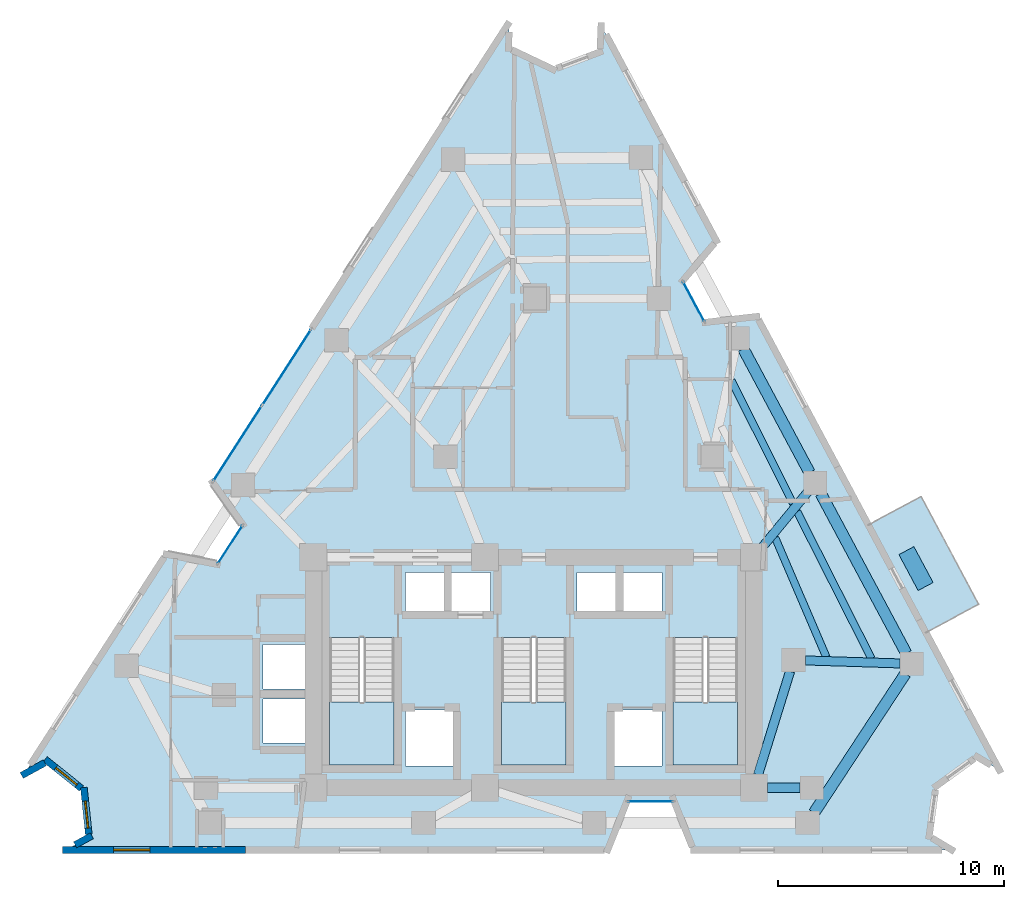
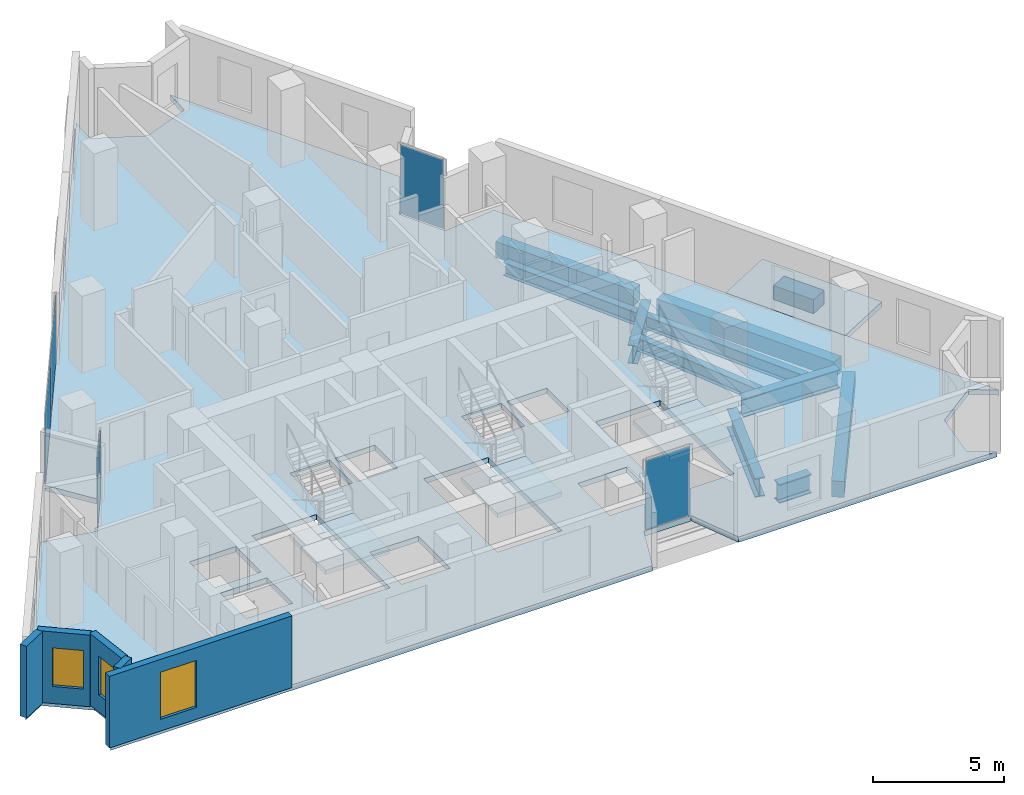
# One storey, part 4 of 11: 10 beams, 6 plates, 5 slabs, 5 walls, 3 windows, 3 openings, 7 elements without a shape of their own.
"""IFC4 building model written with IfcOpenShell, lengths in metres."""

from ifc_helpers import new_model, si_unit, direction, frame, frame_2d, origin, origin_2d, place, context, subcontext, project, spatial, polyline, rectangle, i_section, outline, extrude, material, layer, layer_set, material_profile, profile_set, type_object, element, fill, aggregate, save


model = new_model("IFC4")

# Units and contexts
model_context = context("Model", 3, precision=1e-05, world=origin(), true_north=direction((0.0, 1.0)))
body_context = subcontext(model_context, "Body", "Model", "MODEL_VIEW")
ifc_project = project(units=[si_unit("LENGTHUNIT", "METRE"), si_unit("AREAUNIT", "SQUARE_METRE"), si_unit("VOLUMEUNIT", "CUBIC_METRE"), si_unit("PLANEANGLEUNIT", "RADIAN"), si_unit("MASSUNIT", "GRAM", prefix="KILO")], contexts=[model_context])

# Site, building, storey
site_placement = place(None, origin())
site = spatial("IfcSite", under=ifc_project, at=site_placement, CompositionType="ELEMENT")
building_placement = place(site_placement, origin())
building = spatial("IfcBuilding", under=site, at=building_placement, Name="Almagre Mirador Tower", CompositionType="ELEMENT")
storey_placement = place(building_placement, frame((0.0, 0.0, 189.60009765625)))
storey = spatial("IfcBuildingStorey", under=building, at=storey_placement, Name="L49", CompositionType="ELEMENT", Elevation=189.60009765625)

# Beams
ifc_material_1 = material(Name="Steel ASTM A992 Grade 50", Category="steel")
ifc_material_profile_1 = material_profile(ifc_material_1, i_section(OverallWidth=0.323974609375, OverallDepth=0.611083984375, WebThickness=0.0126953125, FlangeThickness=0.01904296875, FilletRadius=0.02001953125, at=origin_2d()), Name="W24X104")
ifc_profile_set_1 = profile_set([ifc_material_profile_1], Name="Steel ASTM A992 Grade 50")
beam_type_1 = type_object("IfcBeamType", Name="BM-JST-W24X104", PredefinedType="JOIST", material=ifc_profile_set_1)
beam_1_placement = place(storey_placement, frame((52.24755859375, 10.265869140625, -0.5556640625), z_axis=(-0.45155923069, 0.892241145195, 0.0), x_axis=(-0.892241145195, -0.45155923069, 0.0)))
element("IfcBeam", 1, at=beam_1_placement, inside=storey, type_object=beam_type_1, Name="L49 secondary floor joist PC05-PC06.1", PredefinedType="JOIST", context=body_context, shape_type="SweptSolid", body=[
    extrude(i_section(OverallWidth=0.323974609375, OverallDepth=0.611083984375, WebThickness=0.0126953125, FlangeThickness=0.01904296875, FilletRadius=0.02001953125, at=origin_2d()), origin(), (0.0, 0.0, 1.0), 7.294677734375),
])
beam_2_placement = place(storey_placement, frame((50.250244140625, 10.3349609375, -0.5556640625), z_axis=(-0.394268360647, 0.918995353521, 0.0), x_axis=(-0.918995353521, -0.394268360647, 0.0)))
element("IfcBeam", 2, at=beam_2_placement, inside=storey, type_object=beam_type_1, Name="L49 secondary floor joist PC05-PC06.3", PredefinedType="JOIST", context=body_context, shape_type="SweptSolid", body=[
    extrude(i_section(OverallWidth=0.323974609375, OverallDepth=0.611083984375, WebThickness=0.0126953125, FlangeThickness=0.01904296875, FilletRadius=0.02001953125, at=origin_2d()), origin(), (0.0, 0.0, 1.0), 5.739501953125),
])
beam_3_placement = place(storey_placement, frame((48.774169921875, 17.130859375, -0.5556640625), z_axis=(-0.44764748891, 0.89421011271, 0.0), x_axis=(-0.89421011271, -0.44764748891, 0.0)))
element("IfcBeam", 3, at=beam_3_placement, inside=storey, type_object=beam_type_1, Name="L49 secondary floor joist PC06-PC07.1", PredefinedType="JOIST", context=body_context, shape_type="SweptSolid", body=[
    extrude(i_section(OverallWidth=0.323974609375, OverallDepth=0.611083984375, WebThickness=0.0126953125, FlangeThickness=0.01904296875, FilletRadius=0.02001953125, at=origin_2d()), origin(), (0.0, 0.0, 1.0), 6.076171875),
])
ifc_material_2 = material(Name="Precast concrete C50/60", Category="concrete")
ifc_material_profile_2 = material_profile(ifc_material_2, rectangle(XDim=0.5, YDim=0.75, at=origin_2d()), Name="RC500X750")
ifc_profile_set_2 = profile_set([ifc_material_profile_2], Name="Precast concrete C50/60")
beam_type_2 = type_object("IfcBeamType", Name="BM-SPN-RC500X750", PredefinedType="SPANDREL", material=ifc_profile_set_2)
beam_4_placement = place(storey_placement, frame((49.7041015625, 3.43896484375, -0.625), z_axis=(0.548818634592, 0.835941449101, 0.0), x_axis=(-0.835941449101, 0.548818634592, 0.0)))
element("IfcBeam", 4, at=beam_4_placement, inside=storey, type_object=beam_type_2, Name="L49 perimeter spandrel beam PC04-PC05", PredefinedType="SPANDREL", context=body_context, shape_type="SweptSolid", body=[
    extrude(rectangle(XDim=0.5, YDim=0.75, at=origin_2d()), origin(), (0.0, 0.0, 1.0), 7.364501953125),
])
beam_5_placement = place(storey_placement, frame((53.786376953125, 10.496826171875, -0.625), z_axis=(-0.471728183201, 0.881744022477, 0.0), x_axis=(-0.881744022477, -0.471728183201, 0.0)))
element("IfcBeam", 5, at=beam_5_placement, inside=storey, type_object=beam_type_2, Name="L49 perimeter spandrel beam PC05-PC06", PredefinedType="SPANDREL", context=body_context, shape_type="SweptSolid", body=[
    extrude(rectangle(XDim=0.5, YDim=0.75, at=origin_2d()), origin(), (0.0, 0.0, 1.0), 8.02294921875),
])
beam_6_placement = place(storey_placement, frame((49.50634765625, 18.496826171875, -0.625), z_axis=(-0.471722643875, 0.881746985963, 0.0), x_axis=(-0.881746985963, -0.471722643875, 0.0)))
element("IfcBeam", 6, at=beam_6_placement, inside=storey, type_object=beam_type_2, Name="L49 perimeter spandrel beam PC06-PC07", PredefinedType="SPANDREL", context=body_context, shape_type="SweptSolid", body=[
    extrude(rectangle(XDim=0.5, YDim=0.75, at=origin_2d()), origin(), (0.0, 0.0, 1.0), 6.20849609375),
])
ifc_material_3 = material(Name="Steel ASTM A992 Grade 50", Category="steel")
ifc_material_profile_3 = material_profile(ifc_material_3, i_section(OverallWidth=0.39892578125, OverallDepth=0.85595703125, WebThickness=0.018310546875, FlangeThickness=0.029296875, FilletRadius=0.02490234375, at=origin_2d()), Name="W33X201")
ifc_profile_set_3 = profile_set([ifc_material_profile_3], Name="Steel ASTM A992 Grade 50")
beam_type_3 = type_object("IfcBeamType", Name="BM-STL-W33X201", PredefinedType="BEAM", material=ifc_profile_set_3)
beam_7_placement = place(storey_placement, frame((53.50927734375, 10.050537109375, -0.677978515625), z_axis=(-0.999496710108, 0.031722649376, 0.0), x_axis=(-0.031722649376, -0.999496710108, 0.0)))
element("IfcBeam", 7, at=beam_7_placement, inside=storey, type_object=beam_type_3, Name="L49 radial floor girder PC05-MC3", PredefinedType="BEAM", context=body_context, shape_type="SweptSolid", body=[
    extrude(i_section(OverallWidth=0.39892578125, OverallDepth=0.85595703125, WebThickness=0.018310546875, FlangeThickness=0.029296875, FilletRadius=0.02490234375, at=origin_2d()), origin(), (0.0, 0.0, 1.0), 4.186767578125),
])
beam_8_placement = place(storey_placement, frame((49.42041015625, 17.628662109375, -0.677978515625), z_axis=(-0.635660759113, -0.771968522237, 0.0), x_axis=(0.771968522237, -0.635660759113, 0.0)))
element("IfcBeam", 8, at=beam_8_placement, inside=storey, type_object=beam_type_3, Name="L49 radial floor girder PC06-CC6", PredefinedType="BEAM", context=body_context, shape_type="SweptSolid", body=[
    extrude(i_section(OverallWidth=0.39892578125, OverallDepth=0.85595703125, WebThickness=0.018310546875, FlangeThickness=0.029296875, FilletRadius=0.02490234375, at=origin_2d()), origin(), (0.0, 0.0, 1.0), 3.129150390625),
])
ifc_material_4 = material(Name="Steel ASTM A992 Grade 50", Category="steel")
ifc_material_profile_4 = material_profile(ifc_material_4, i_section(OverallWidth=0.404052734375, OverallDepth=0.884033203125, WebThickness=0.0244140625, FlangeThickness=0.0439453125, FilletRadius=0.02490234375, at=origin_2d()), Name="W33X291")
ifc_profile_set_4 = profile_set([ifc_material_profile_4], Name="Steel ASTM A992 Grade 50")
beam_type_4 = type_object("IfcBeamType", Name="BM-STL-W33X291", PredefinedType="BEAM", material=ifc_profile_set_4)
beam_9_placement = place(storey_placement, frame((49.074951171875, 4.550048828125, -0.692138671875), z_axis=(-1.0, 0.0, 0.0), x_axis=(0.0, -1.0, 0.0)))
element("IfcBeam", 9, at=beam_9_placement, inside=storey, type_object=beam_type_4, Name="L49 core tie girder MC2-CC3", PredefinedType="BEAM", context=body_context, shape_type="SweptSolid", body=[
    extrude(i_section(OverallWidth=0.404052734375, OverallDepth=0.884033203125, WebThickness=0.0244140625, FlangeThickness=0.0439453125, FilletRadius=0.02490234375, at=origin_2d()), origin(), (0.0, 0.0, 1.0), 1.425048828125),
])
beam_10_placement = place(storey_placement, frame((48.644775390625, 9.698486328125, -0.692138671875), z_axis=(-0.295879743348, -0.955225197258, 0.0), x_axis=(0.955225197258, -0.295879743348, 0.0)))
element("IfcBeam", 10, at=beam_10_placement, inside=storey, type_object=beam_type_4, Name="L49 core tie girder MC3-CC3", PredefinedType="BEAM", context=body_context, shape_type="SweptSolid", body=[
    extrude(i_section(OverallWidth=0.404052734375, OverallDepth=0.884033203125, WebThickness=0.0244140625, FlangeThickness=0.0439453125, FilletRadius=0.02490234375, at=origin_2d()), origin(), (0.0, 0.0, 1.0), 4.789794921875),
])

# Curtain wall, plate
ifc_material_5 = material(Name="Black anodized aluminium", Category="aluminium")
ifc_layer_1 = layer(ifc_material_5, 0.169921875)
ifc_layer_set_1 = layer_set([ifc_layer_1], Name="Black anodized aluminium")
curtain_wall_type_1 = type_object("IfcCurtainWallType", Name="CW-CRS-SYS", PredefinedType="NOTDEFINED", material=ifc_layer_set_1)
curtain_wall_1_placement = place(storey_placement, origin())
curtain_wall_1 = element("IfcCurtainWall", 11, at=curtain_wall_1_placement, inside=storey, type_object=curtain_wall_type_1, Name="L49 vertical crease curtain wall 01", PredefinedType="NOTDEFINED")
ifc_material_6 = material(Name="Dark solar-control laminated hurricane glass", Category="glass")
ifc_layer_2 = layer(ifc_material_6, 0.028076171875)
ifc_layer_set_2 = layer_set([ifc_layer_2], Name="Dark solar-control laminated hurricane glass")
plate_type_1 = type_object("IfcPlateType", Name="PLT-GLZ-28", PredefinedType="CURTAIN_PANEL", material=ifc_layer_set_2)
plate_1_placement = place(storey_placement, frame((23.87255859375, 15.31005859375, 0.059814453125), z_axis=(0.0, 0.0, 1.0), x_axis=(0.542159567478, 0.840275552061, 0.0)))
plate_1 = element("IfcPlate", 12, at=plate_1_placement, type_object=plate_type_1, Name="CW-4 panel 1.1", PredefinedType="CURTAIN_PANEL", context=body_context, shape_type="SweptSolid", body=[
    extrude(rectangle(XDim=1.9697265625, YDim=0.028076171875, at=origin_2d()), origin(), (0.0, 0.0, 1.0), 3.22998046875),
])
aggregate(curtain_wall_1, [plate_1])

curtain_wall_2_placement = place(storey_placement, origin())
curtain_wall_2 = element("IfcCurtainWall", 13, at=curtain_wall_2_placement, inside=storey, type_object=curtain_wall_type_1, Name="L49 vertical crease curtain wall 03", PredefinedType="NOTDEFINED")
plate_2_placement = place(storey_placement, frame((44.384033203125, 26.0576171875, 0.059814453125), z_axis=(0.0, 0.0, 1.0), x_axis=(0.47173010875, -0.881742992316, 0.0)))
plate_2 = element("IfcPlate", 14, at=plate_2_placement, type_object=plate_type_1, Name="CW-4 panel 1.1", PredefinedType="CURTAIN_PANEL", context=body_context, shape_type="SweptSolid", body=[
    extrude(rectangle(XDim=1.97021484375, YDim=0.028076171875, at=origin_2d()), origin(), (0.0, 0.0, 1.0), 3.22998046875),
])
aggregate(curtain_wall_2, [plate_2])

curtain_wall_3_placement = place(storey_placement, origin())
curtain_wall_3 = element("IfcCurtainWall", 15, at=curtain_wall_3_placement, inside=storey, type_object=curtain_wall_type_1, Name="L49 vertical crease curtain wall 04", PredefinedType="NOTDEFINED")
plate_3_placement = place(storey_placement, frame((42.471923828125, 3.949951171875, 0.059814453125), z_axis=(0.0, 0.0, 1.0), x_axis=(-1.0, 0.0, 0.0)))
plate_3 = element("IfcPlate", 16, at=plate_3_placement, type_object=plate_type_1, Name="CW-4 panel 1.1", PredefinedType="CURTAIN_PANEL", context=body_context, shape_type="SweptSolid", body=[
    extrude(rectangle(XDim=1.969970703125, YDim=0.028076171875, at=origin_2d()), origin(), (0.0, 0.0, 1.0), 3.22998046875),
])
aggregate(curtain_wall_3, [plate_3])

# Curtain wall, plates
ifc_material_7 = material(Name="Black anodized aluminium", Category="aluminium")
ifc_layer_3 = layer(ifc_material_7, 0.199951171875)
ifc_layer_set_3 = layer_set([ifc_layer_3], Name="Black anodized aluminium")
curtain_wall_type_2 = type_object("IfcCurtainWallType", Name="CW-RES-H-SYS", PredefinedType="NOTDEFINED", material=ifc_layer_set_3)
curtain_wall_4_placement = place(storey_placement, origin())
curtain_wall_4 = element("IfcCurtainWall", 17, at=curtain_wall_4_placement, inside=storey, type_object=curtain_wall_type_2, Name="L49 curtain wall run 02", PredefinedType="NOTDEFINED")
ifc_material_8 = material(Name="Dark solar-control laminated hurricane glass", Category="glass")
ifc_layer_4 = layer(ifc_material_8, 0.035888671875)
ifc_layer_set_4 = layer_set([ifc_layer_4], Name="Dark solar-control laminated hurricane glass")
plate_type_2 = type_object("IfcPlateType", Name="PLT-GLZ-36", PredefinedType="CURTAIN_PANEL", material=ifc_layer_set_4)
plate_4_placement = place(storey_placement, frame((24.199462890625, 19.782958984375, 0.06494140625), z_axis=(0.0, 0.0, 1.0), x_axis=(0.542013240011, 0.8403699469, 0.0)))
plate_4 = element("IfcPlate", 18, at=plate_4_placement, type_object=plate_type_2, Name="CW-3 panel 1.1", PredefinedType="CURTAIN_PANEL", context=body_context, shape_type="SweptSolid", body=[
    extrude(rectangle(XDim=3.94189453125, YDim=0.035888671875, at=origin_2d()), origin(), (0.0, 0.0, 1.0), 3.219970703125),
])
plate_5_placement = place(storey_placement, frame((26.371337890625, 23.150146484375, 0.06494140625), z_axis=(0.0, 0.0, 1.0), x_axis=(0.542013240011, 0.8403699469, 0.0)))
plate_5 = element("IfcPlate", 19, at=plate_5_placement, type_object=plate_type_2, Name="CW-3 panel 2.1", PredefinedType="CURTAIN_PANEL", context=body_context, shape_type="SweptSolid", body=[
    extrude(rectangle(XDim=3.94189453125, YDim=0.035888671875, at=origin_2d()), origin(), (0.0, 0.0, 1.0), 3.219970703125),
])
aggregate(curtain_wall_4, [plate_4, plate_5])

# Plate
ifc_material_9 = material(Name="Precast concrete C50/60", Category="concrete")
ifc_layer_5 = layer(ifc_material_9, 0.64990234375)
ifc_layer_set_5 = layer_set([ifc_layer_5], Name="Precast concrete C50/60")
plate_type_3 = type_object("IfcPlateType", Name="PLT-PLANTER-1800", PredefinedType="USERDEFINED", material=ifc_layer_set_5)
plate_6_placement = place(storey_placement, frame((54.218017578125, 14.248046875, 0.0), z_axis=(0.0, 0.0, 1.0), x_axis=(-0.471735335523, 0.881740195987, 0.0)))
element("IfcPlate", 20, at=plate_6_placement, inside=storey, type_object=plate_type_3, Name="L49 east balcony structural tree planter 1", ObjectType="PLANTER", PredefinedType="USERDEFINED", context=body_context, shape_type="SweptSolid", body=[
    extrude(rectangle(XDim=1.800048828125, YDim=0.75, at=origin_2d()), origin(), (0.0, 0.0, 1.0), 0.64990234375),
])

# Slabs
ifc_material_10 = material(Name="Concrete C45/55", Category="concrete")
ifc_layer_6 = layer(ifc_material_10, 0.239990234375)
ifc_layer_set_6 = layer_set([ifc_layer_6], Name="Concrete C45/55")
slab_type_1 = type_object("IfcSlabType", Name="SLB-BAL-240", PredefinedType="USERDEFINED", material=ifc_layer_set_6)
slab_1_placement = place(storey_placement, frame((0.0, 0.0, -0.239990234375)))
element("IfcSlab", 21, at=slab_1_placement, inside=storey, type_object=slab_type_1, Name="L49 east planted tree balcony 1", ObjectType="BALCONY", PredefinedType="USERDEFINED", context=body_context, shape_type="SweptSolid", body=[
    extrude(outline(polyline([(54.635986328125, 11.409912109375), (52.087890625, 16.172119140625), (54.443115234375, 17.430908203125), (56.989990234375, 12.6689453125), (54.635986328125, 11.409912109375)])), origin(), (0.0, 0.0, 1.0), 0.239990234375),
])
ifc_material_11 = material(Name="Concrete C45/55", Category="concrete")
ifc_layer_7 = layer(ifc_material_11, 0.25)
ifc_layer_set_7 = layer_set([ifc_layer_7], Name="Concrete C45/55")
slab_type_2 = type_object("IfcSlabType", Name="SLB-FLR-250", PredefinedType="FLOOR", material=ifc_layer_set_7)
slab_2_placement = place(storey_placement, frame((0.0, 0.0, -0.25)))
element("IfcSlab", 22, at=slab_2_placement, inside=storey, type_object=slab_type_2, Name="L49 structural floor slab", PredefinedType="FLOOR", context=body_context, shape_type="SweptSolid", body=[
    extrude(outline(polyline([(14.76806640625, 5.160888671875), (15.794921875, 5.720947265625), (17.412109375, 4.422119140625), (17.626953125, 2.360107421875), (16.60009765625, 1.800048828125), (40.572021484375, 1.800048828125), (41.427001953125, 3.949951171875), (43.51708984375, 3.949951171875), (44.3720703125, 1.800048828125), (55.800048828125, 1.800048828125), (54.7958984375, 2.40087890625), (55.09912109375, 4.615966796875), (56.908935546875, 5.927978515625), (57.9130859375, 5.326904296875), (47.176025390625, 25.39599609375), (44.876953125, 25.135986328125), (43.89111328125, 26.97900390625), (45.384033203125, 28.7470703125), (40.287109375, 38.27294921875), (40.239013671875, 37.10400390625), (38.176025390625, 36.324951171875), (36.18408203125, 37.27001953125), (36.23193359375, 38.43896484375), (23.095947265625, 18.072021484375), (24.43896484375, 16.18798828125), (23.305908203125, 14.431884765625), (21.035888671875, 14.87890625), (14.76806640625, 5.160888671875)]), holes=[polyline([(43.47509765625, 5.550048828125), (43.47509765625, 11.196044921875), (46.324951171875, 11.196044921875), (46.324951171875, 5.550048828125), (43.47509765625, 5.550048828125)]), polyline([(40.820068359375, 5.52001953125), (40.820068359375, 7.97998046875), (42.97998046875, 7.97998046875), (42.97998046875, 5.52001953125), (40.820068359375, 5.52001953125)]), polyline([(41.219970703125, 12.320068359375), (41.219970703125, 14.080078125), (42.97998046875, 14.080078125), (42.97998046875, 12.320068359375), (41.219970703125, 12.320068359375)]), polyline([(39.219970703125, 12.320068359375), (39.219970703125, 14.080078125), (40.97998046875, 14.080078125), (40.97998046875, 12.320068359375), (39.219970703125, 12.320068359375)]), polyline([(35.875, 11.196044921875), (38.72509765625, 11.196044921875), (38.72509765625, 5.550048828125), (35.875, 5.550048828125), (35.875, 11.196044921875)]), polyline([(35.3798828125, 12.320068359375), (33.6201171875, 12.320068359375), (33.6201171875, 14.080078125), (35.3798828125, 14.080078125), (35.3798828125, 12.320068359375)]), polyline([(33.780029296875, 5.52001953125), (31.6201171875, 5.52001953125), (31.6201171875, 7.97998046875), (33.780029296875, 7.97998046875), (33.780029296875, 5.52001953125)]), polyline([(31.6201171875, 12.320068359375), (31.6201171875, 14.080078125), (33.3798828125, 14.080078125), (33.3798828125, 12.320068359375), (31.6201171875, 12.320068359375)]), polyline([(28.27490234375, 5.550048828125), (28.27490234375, 11.196044921875), (31.125, 11.196044921875), (31.125, 5.550048828125), (28.27490234375, 5.550048828125)]), polyline([(25.320068359375, 8.919921875), (25.320068359375, 10.8798828125), (27.3798828125, 10.8798828125), (27.3798828125, 8.919921875), (25.320068359375, 8.919921875)]), polyline([(27.3798828125, 6.52001953125), (25.320068359375, 6.52001953125), (25.320068359375, 8.47998046875), (27.3798828125, 8.47998046875), (27.3798828125, 6.52001953125)])]), origin(), (0.0, 0.0, 1.0), 0.25),
])

# Stair, slab
ifc_material_12 = material(Name="Concrete C45/55", Category="concrete")
stair_type = type_object("IfcStairType", Name="STR-DL-3600", PredefinedType="HALF_TURN_STAIR", material=ifc_material_12)
stair_1_placement = place(storey_placement, origin())
stair_1 = element("IfcStair", 23, at=stair_1_placement, inside=storey, type_object=stair_type, Name="L49 Protected exit stair ST-1", PredefinedType="HALF_TURN_STAIR")
ifc_material_13 = material(Name="Concrete C45/55", Category="concrete")
ifc_layer_8 = layer(ifc_material_13, 0.199951171875)
ifc_layer_set_8 = layer_set([ifc_layer_8], Name="Concrete C45/55")
slab_type_3 = type_object("IfcSlabType", Name="SLB-LND-200", PredefinedType="LANDING", material=ifc_layer_set_8)
slab_3_placement = place(storey_placement, frame((0.0, 0.0, 1.599853515625)))
slab_3 = element("IfcSlab", 24, at=slab_3_placement, type_object=slab_type_3, Name="ST-1 landing 1", PredefinedType="LANDING", context=body_context, shape_type="SweptSolid", body=[
    extrude(outline(polyline([(28.27490234375, 8.35009765625), (28.27490234375, 5.550048828125), (31.125, 5.550048828125), (31.125, 8.35009765625), (28.27490234375, 8.35009765625)])), origin(), (0.0, 0.0, 1.0), 0.199951171875),
])
aggregate(stair_1, [slab_3])

stair_2_placement = place(storey_placement, origin())
stair_2 = element("IfcStair", 25, at=stair_2_placement, inside=storey, type_object=stair_type, Name="L49 Protected exit stair ST-2", PredefinedType="HALF_TURN_STAIR")
slab_4_placement = place(storey_placement, frame((0.0, 0.0, 1.599853515625)))
slab_4 = element("IfcSlab", 26, at=slab_4_placement, type_object=slab_type_3, Name="ST-2 landing 1", PredefinedType="LANDING", context=body_context, shape_type="SweptSolid", body=[
    extrude(outline(polyline([(35.875, 8.35009765625), (35.875, 5.550048828125), (38.72509765625, 5.550048828125), (38.72509765625, 8.35009765625), (35.875, 8.35009765625)])), origin(), (0.0, 0.0, 1.0), 0.199951171875),
])
aggregate(stair_2, [slab_4])

stair_3_placement = place(storey_placement, origin())
stair_3 = element("IfcStair", 27, at=stair_3_placement, inside=storey, type_object=stair_type, Name="L49 Protected exit stair ST-3", PredefinedType="HALF_TURN_STAIR")
slab_5_placement = place(storey_placement, frame((0.0, 0.0, 1.599853515625)))
slab_5 = element("IfcSlab", 28, at=slab_5_placement, type_object=slab_type_3, Name="ST-3 landing 1", PredefinedType="LANDING", context=body_context, shape_type="SweptSolid", body=[
    extrude(outline(polyline([(43.47509765625, 8.35009765625), (43.47509765625, 5.550048828125), (46.324951171875, 5.550048828125), (46.324951171875, 8.35009765625), (43.47509765625, 8.35009765625)])), origin(), (0.0, 0.0, 1.0), 0.199951171875),
])
aggregate(stair_3, [slab_5])

# Wall, opening, window
ifc_material_14 = material(Name="Precast concrete C50/60", Category="concrete")
ifc_layer_9 = layer(ifc_material_14, 0.300048828125)
ifc_layer_set_9 = layer_set([ifc_layer_9], Name="Precast concrete C50/60")
wall_type = type_object("IfcWallType", Name="WAL-EXT-300", PredefinedType="SOLIDWALL", material=ifc_layer_set_9)
wall_1_placement = place(storey_placement, frame((24.5439453125, 1.800048828125, 0.0), z_axis=(0.0, 0.0, 1.0), x_axis=(-1.0, 0.0, 0.0)))
wall_1 = element("IfcWall", 29, at=wall_1_placement, inside=storey, type_object=wall_type, Name="L49 expressed almagre precast frame wall 26", PredefinedType="SOLIDWALL", context=body_context, shape_type="SweptSolid", body=[
    extrude(rectangle(XDim=8.083984375, YDim=0.300048828125, at=frame_2d((4.0419921875, 0.0))), origin(), (0.0, 0.0, 1.0), 3.349853515625),
])
opening_1_placement = place(wall_1_placement, frame((4.22509765625, 0.0, 0.550048828125)))
opening_1 = element("IfcOpeningElement", 30, at=opening_1_placement, cuts=wall_1, Name="Opening WN-06", PredefinedType="OPENING", context=body_context, shape_type="SweptSolid", body=[
    extrude(rectangle(XDim=1.60009765625, YDim=2.199951171875, at=frame_2d((0.800048828125, 1.10009765625))), frame((0.0, 0.159902, 0.0), z_axis=(0.0, -1.0, 0.0), x_axis=(1.0, 0.0, 0.0)), (0.0, 0.0, 1.0), 0.320049),
])
ifc_material_15 = material(Name="Dark solar-control laminated hurricane glass", Category="glass")
window_type_1 = type_object("IfcWindowType", Name="WIN-1600X2200", PartitioningType="DOUBLE_PANEL_VERTICAL", PredefinedType="WINDOW", material=ifc_material_15)
window_1_placement = place(opening_1_placement, origin())
window_1 = element("IfcWindow", 31, at=window_1_placement, inside=storey, type_object=window_type_1, Name="L49 recessed hurricane window L49-UA-LV", OverallHeight=2.199951171875, OverallWidth=1.60009765625, PartitioningType="SINGLE_PANEL", PredefinedType="WINDOW", context=body_context, shape_type="SweptSolid", body=[
    extrude(rectangle(XDim=1.60009765625, YDim=2.199951171875, at=frame_2d((0.800048828125, 1.10009765625))), frame((0.0, 0.030029296875, 0.0), z_axis=(0.0, -1.0, 0.0), x_axis=(1.0, 0.0, 0.0)), (0.0, 0.0, 1.0), 0.06005859375),
])
fill(opening_1, window_1)

# Wall
wall_2_placement = place(storey_placement, frame((17.0126953125, 2.02490234375, 0.0), z_axis=(0.0, 0.0, 1.0), x_axis=(0.877928900016, 0.478791025936, 0.0)))
element("IfcWall", 32, at=wall_2_placement, inside=storey, type_object=wall_type, Name="L49 expressed almagre precast frame wall 27", PredefinedType="SOLIDWALL", context=body_context, shape_type="SweptSolid", body=[
    extrude(rectangle(XDim=0.83984375, YDim=0.300048828125, at=frame_2d((0.419921875, 0.0))), origin(), (0.0, 0.0, 1.0), 3.349853515625),
])

# Wall, opening, window
wall_3_placement = place(storey_placement, frame((17.612548828125, 2.499267578125, 0.0), z_axis=(0.0, 0.0, 1.0), x_axis=(-0.10374684954, 0.994603735771, 0.0)))
wall_3 = element("IfcWall", 33, at=wall_3_placement, inside=storey, type_object=wall_type, Name="L49 expressed almagre precast frame wall 28", PredefinedType="SOLIDWALL", context=body_context, shape_type="SweptSolid", body=[
    extrude(rectangle(XDim=2.0732421875, YDim=0.300048828125, at=frame_2d((1.03662109375, 0.0))), origin(), (0.0, 0.0, 1.0), 3.349853515625),
])
opening_2_placement = place(wall_3_placement, frame((0.27001953125, 0.0, 0.800048828125)))
opening_2 = element("IfcOpeningElement", 34, at=opening_2_placement, cuts=wall_3, Name="Opening WN-04", PredefinedType="OPENING", context=body_context, shape_type="SweptSolid", body=[
    extrude(rectangle(XDim=1.199951171875, YDim=1.800048828125, at=frame_2d((0.60009765625, 0.89990234375))), frame((0.0, 0.159902, 0.0), z_axis=(0.0, -1.0, 0.0), x_axis=(1.0, 0.0, 0.0)), (0.0, 0.0, 1.0), 0.320049),
])
ifc_material_16 = material(Name="Dark solar-control laminated hurricane glass", Category="glass")
window_type_2 = type_object("IfcWindowType", Name="WIN-1200X1800", PartitioningType="SINGLE_PANEL", PredefinedType="WINDOW", material=ifc_material_16)
window_2_placement = place(opening_2_placement, origin())
window_2 = element("IfcWindow", 35, at=window_2_placement, inside=storey, type_object=window_type_2, Name="L49 recessed hurricane window L49-UA-LV", OverallHeight=1.800048828125, OverallWidth=1.199951171875, PartitioningType="SINGLE_PANEL", PredefinedType="WINDOW", context=body_context, shape_type="SweptSolid", body=[
    extrude(rectangle(XDim=1.199951171875, YDim=1.800048828125, at=frame_2d((0.60009765625, 0.89990234375))), frame((0.0, 0.030029296875, 0.0), z_axis=(0.0, -1.0, 0.0), x_axis=(1.0, 0.0, 0.0)), (0.0, 0.0, 1.0), 0.06005859375),
])
fill(opening_2, window_2)

wall_4_placement = place(storey_placement, frame((17.291015625, 4.51904296875, 0.0), z_axis=(0.0, 0.0, 1.0), x_axis=(-0.779594735896, 0.626284318631, 0.0)))
wall_4 = element("IfcWall", 36, at=wall_4_placement, inside=storey, type_object=wall_type, Name="L49 expressed almagre precast frame wall 29", PredefinedType="SOLIDWALL", context=body_context, shape_type="SweptSolid", body=[
    extrude(rectangle(XDim=2.05908203125, YDim=0.300048828125, at=frame_2d((1.029541015625, 0.0))), origin(), (0.0, 0.0, 1.0), 3.349853515625),
])
opening_3_placement = place(wall_4_placement, frame((0.2548828125, 0.0, 0.800048828125)))
opening_3 = element("IfcOpeningElement", 37, at=opening_3_placement, cuts=wall_4, Name="Opening WN-04", PredefinedType="OPENING", context=body_context, shape_type="SweptSolid", body=[
    extrude(rectangle(XDim=1.199951171875, YDim=1.800048828125, at=frame_2d((0.60009765625, 0.89990234375))), frame((0.0, 0.159902, 0.0), z_axis=(0.0, -1.0, 0.0), x_axis=(1.0, 0.0, 0.0)), (0.0, 0.0, 1.0), 0.320049),
])
window_3_placement = place(opening_3_placement, origin())
window_3 = element("IfcWindow", 38, at=window_3_placement, inside=storey, type_object=window_type_2, Name="L49 recessed hurricane window L49-UA-LV", OverallHeight=1.800048828125, OverallWidth=1.199951171875, PartitioningType="SINGLE_PANEL", PredefinedType="WINDOW", context=body_context, shape_type="SweptSolid", body=[
    extrude(rectangle(XDim=1.199951171875, YDim=1.800048828125, at=frame_2d((0.60009765625, 0.89990234375))), frame((0.0, 0.030029296875, 0.0), z_axis=(0.0, -1.0, 0.0), x_axis=(1.0, 0.0, 0.0)), (0.0, 0.0, 1.0), 0.06005859375),
])
fill(opening_3, window_3)

# Wall
wall_5_placement = place(storey_placement, frame((15.672119140625, 5.654052734375, 0.0), z_axis=(0.0, 0.0, 1.0), x_axis=(-0.877959368473, -0.478735153619, 0.0)))
element("IfcWall", 39, at=wall_5_placement, inside=storey, type_object=wall_type, Name="L49 expressed almagre precast frame wall 30", PredefinedType="SOLIDWALL", context=body_context, shape_type="SweptSolid", body=[
    extrude(rectangle(XDim=1.169921875, YDim=0.300048828125, at=frame_2d((0.5849609375, 0.0))), origin(), (0.0, 0.0, 1.0), 3.349853515625),
])

save(model, "model.ifc")
